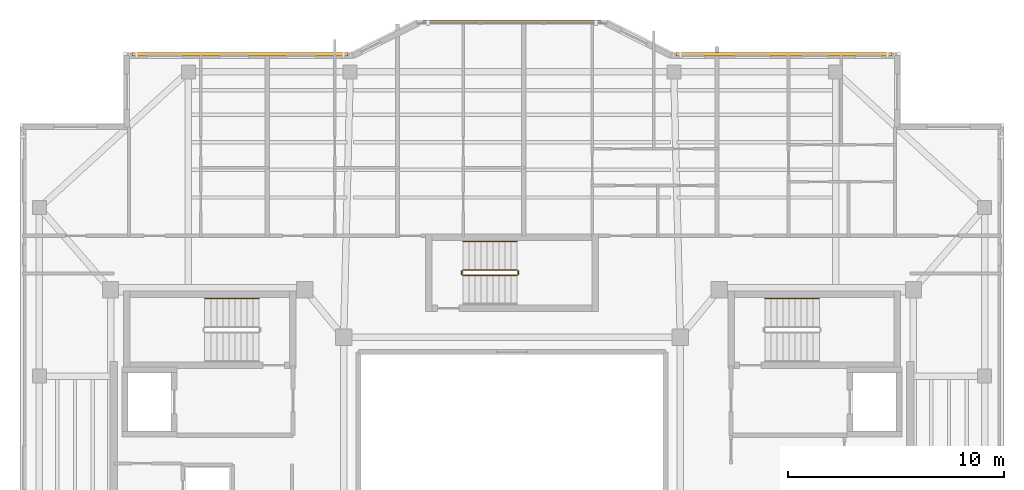
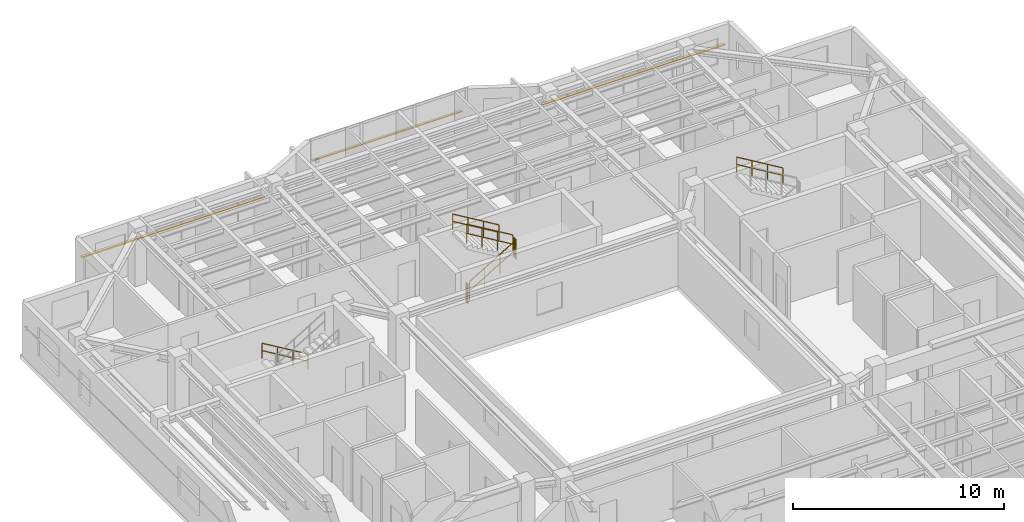
# One storey, part 14 of 14: 7 railings, 3 shading devices.
"""IFC4 building model written with IfcOpenShell, lengths in metres."""

from ifc_helpers import new_model, si_unit, direction, frame, origin, origin_2d, place, context, subcontext, project, spatial, rectangle, circle, extrude, material, material_profile, profile_set, type_object, element, save


model = new_model("IFC4")

# Units and contexts
model_context = context("Model", 3, precision=1e-05, world=origin(), true_north=direction((0.0, 1.0)))
body_context = subcontext(model_context, "Body", "Model", "MODEL_VIEW")
ifc_project = project(units=[si_unit("LENGTHUNIT", "METRE"), si_unit("AREAUNIT", "SQUARE_METRE"), si_unit("VOLUMEUNIT", "CUBIC_METRE"), si_unit("PLANEANGLEUNIT", "RADIAN"), si_unit("MASSUNIT", "GRAM", prefix="KILO")], contexts=[model_context])

# Site, building, storey
site_placement = place(None, origin())
site = spatial("IfcSite", under=ifc_project, at=site_placement, CompositionType="ELEMENT")
building_placement = place(site_placement, origin())
building = spatial("IfcBuilding", under=site, at=building_placement, Name="Tarnavaz Court Tower", CompositionType="ELEMENT")
storey_placement = place(building_placement, frame((0.0, 0.0, 264.949951171875)))
storey = spatial("IfcBuildingStorey", under=building, at=storey_placement, Name="L72", CompositionType="ELEMENT", Elevation=264.949951171875)

# Railings
ifc_material_1 = material(Name="Brushed Stainless Steel", Category="steel")
railing_type_1 = type_object("IfcRailingType", Name="RL-HANDRAIL-900", PredefinedType="HANDRAIL", material=ifc_material_1)
for number, where, name in (
    (1, (-11.719970703125, 9.590087890625, 0.16748046875), "L72 ST-W1 stair handrail 1"),
    (2, (14.239990234375, 9.590087890625, 1.842529296875), "L72 ST-E1 stair handrail 2"),
    (3, (0.239990234375, 12.239990234375, 1.842529296875), "L72 ST-N1 stair handrail 2"),
):
    element("IfcRailing", number, at=place(storey_placement, frame(where)), inside=storey, type_object=railing_type_1, Name=name, PredefinedType="HANDRAIL", context=body_context, shape_type="SweptSolid", body=[
        extrude(circle(Radius=0.02392578125, at=origin_2d()), frame((0.0, 0.0, 0.8759765625), z_axis=(-0.858159760407, 0.0, 0.513382728203), x_axis=(0.0, -1.0, 0.0)), (0.0, 0.0, 1.0), 2.9365234375),
        extrude(circle(Radius=0.02392578125, at=origin_2d()), frame((0.0, 0.0, 0.449951171875), z_axis=(-0.858159760407, 0.0, 0.513382728203), x_axis=(0.0, -1.0, 0.0)), (0.0, 0.0, 1.0), 2.9365234375),
        extrude(circle(Radius=0.02099609375, at=origin_2d()), origin(), (0.0, 0.0, 1.0), 0.851806640625),
        extrude(circle(Radius=0.02099609375, at=origin_2d()), frame((-0.840087890625, 0.0, 0.50244140625)), (0.0, 0.0, 1.0), 0.851806640625),
        extrude(circle(Radius=0.02099609375, at=origin_2d()), frame((-1.679931640625, 0.0, 1.005126953125)), (0.0, 0.0, 1.0), 0.851806640625),
        extrude(circle(Radius=0.02099609375, at=origin_2d()), frame((-2.52001953125, 0.0, 1.507568359375)), (0.0, 0.0, 1.0), 0.851806640625),
    ])
ifc_material_2 = material(Name="Galvanized Painted Tubular Steel", Category="steel")
railing_type_2 = type_object("IfcRailingType", Name="RL-STGUARD-1120", PredefinedType="GUARDRAIL", material=ifc_material_2)
railing_1_placement = place(storey_placement, frame((-2.280029296875, 10.669921875, 0.16748046875)))
element("IfcRailing", 4, at=railing_1_placement, inside=storey, type_object=railing_type_2, Name="L72 ST-N1 stair guard 1", PredefinedType="GUARDRAIL", context=body_context, shape_type="SweptSolid", body=[
    extrude(circle(Radius=0.02392578125, at=origin_2d()), frame((0.0, 0.0, 1.09619140625), z_axis=(0.858159760407, 0.0, 0.513382728203), x_axis=(0.0, 1.0, 0.0)), (0.0, 0.0, 1.0), 2.9365234375),
    extrude(circle(Radius=0.02392578125, at=origin_2d()), frame((0.0, 0.0, 0.56005859375), z_axis=(0.858159760407, 0.0, 0.513382728203), x_axis=(0.0, 1.0, 0.0)), (0.0, 0.0, 1.0), 2.9365234375),
    extrude(circle(Radius=0.02099609375, at=origin_2d()), origin(), (0.0, 0.0, 1.0), 1.072021484375),
    extrude(circle(Radius=0.02099609375, at=origin_2d()), frame((0.840087890625, 0.0, 0.50244140625)), (0.0, 0.0, 1.0), 1.072021484375),
    extrude(circle(Radius=0.02099609375, at=origin_2d()), frame((1.679931640625, 0.0, 1.005126953125)), (0.0, 0.0, 1.0), 1.072021484375),
    extrude(circle(Radius=0.02099609375, at=origin_2d()), frame((2.52001953125, 0.0, 1.507568359375)), (0.0, 0.0, 1.0), 1.072021484375),
])
railing_2_placement = place(storey_placement, frame((0.2900390625, 10.719970703125, 1.675048828125)))
element("IfcRailing", 5, at=railing_2_placement, inside=storey, type_object=railing_type_2, Name="L72 ST-N1 stair guard 2", PredefinedType="GUARDRAIL", context=body_context, shape_type="SweptSolid", body=[
    extrude(circle(Radius=0.02392578125, at=origin_2d()), frame((0.0, 0.0, 1.09619140625), z_axis=(0.0, 1.0, 0.0), x_axis=(-1.0, 0.0, 0.0)), (0.0, 0.0, 1.0), 0.150146484375),
    extrude(circle(Radius=0.02392578125, at=origin_2d()), frame((0.0, 0.0, 0.56005859375), z_axis=(0.0, 1.0, 0.0), x_axis=(-1.0, 0.0, 0.0)), (0.0, 0.0, 1.0), 0.150146484375),
    extrude(circle(Radius=0.02099609375, at=origin_2d()), origin(), (0.0, 0.0, 1.0), 1.072021484375),
    extrude(circle(Radius=0.02099609375, at=origin_2d()), frame((0.0, 0.150146484375, 0.0)), (0.0, 0.0, 1.0), 1.072021484375),
])
railing_3_placement = place(storey_placement, frame((0.239990234375, 10.919921875, 1.842529296875)))
element("IfcRailing", 6, at=railing_3_placement, inside=storey, type_object=railing_type_2, Name="L72 ST-N1 stair guard 3", PredefinedType="GUARDRAIL", context=body_context, shape_type="SweptSolid", body=[
    extrude(circle(Radius=0.02392578125, at=origin_2d()), frame((0.0, 0.0, 1.09619140625), z_axis=(-0.858159760407, 0.0, 0.513382728203), x_axis=(0.0, -1.0, 0.0)), (0.0, 0.0, 1.0), 2.9365234375),
    extrude(circle(Radius=0.02392578125, at=origin_2d()), frame((0.0, 0.0, 0.56005859375), z_axis=(-0.858159760407, 0.0, 0.513382728203), x_axis=(0.0, -1.0, 0.0)), (0.0, 0.0, 1.0), 2.9365234375),
    extrude(circle(Radius=0.02099609375, at=origin_2d()), origin(), (0.0, 0.0, 1.0), 1.072021484375),
    extrude(circle(Radius=0.02099609375, at=origin_2d()), frame((-0.840087890625, 0.0, 0.50244140625)), (0.0, 0.0, 1.0), 1.072021484375),
    extrude(circle(Radius=0.02099609375, at=origin_2d()), frame((-1.679931640625, 0.0, 1.005126953125)), (0.0, 0.0, 1.0), 1.072021484375),
    extrude(circle(Radius=0.02099609375, at=origin_2d()), frame((-2.52001953125, 0.0, 1.507568359375)), (0.0, 0.0, 1.0), 1.072021484375),
])
railing_4_placement = place(storey_placement, frame((-2.330078125, 10.719970703125, 0.0)))
element("IfcRailing", 7, at=railing_4_placement, inside=storey, type_object=railing_type_2, Name="L72 ST-N1 stair guard 4", PredefinedType="GUARDRAIL", context=body_context, shape_type="SweptSolid", body=[
    extrude(circle(Radius=0.02392578125, at=origin_2d()), frame((0.0, 0.0, 1.09619140625), z_axis=(0.0, 1.0, 0.0), x_axis=(-1.0, 0.0, 0.0)), (0.0, 0.0, 1.0), 0.150146484375),
    extrude(circle(Radius=0.02392578125, at=origin_2d()), frame((0.0, 0.0, 0.56005859375), z_axis=(0.0, 1.0, 0.0), x_axis=(-1.0, 0.0, 0.0)), (0.0, 0.0, 1.0), 0.150146484375),
    extrude(circle(Radius=0.02099609375, at=origin_2d()), origin(), (0.0, 0.0, 1.0), 1.072021484375),
    extrude(circle(Radius=0.02099609375, at=origin_2d()), frame((0.0, 0.150146484375, 0.0)), (0.0, 0.0, 1.0), 1.072021484375),
])

# Shading devices
ifc_material_3 = material(Name="Kiln-Fired Khorasan Terracotta Ceramic", Category="masonry")
ifc_material_profile_1 = material_profile(ifc_material_3, rectangle(XDim=0.1201171875, YDim=0.06005859375, at=origin_2d()), Name="TC BAGUETTE 120X60")
ifc_profile_set_1 = profile_set([ifc_material_profile_1], Name="Kiln-Fired Khorasan Terracotta Ceramic")
shading_device_type_1 = type_object("IfcShadingDeviceType", Name="SD-BAG-120", PredefinedType="USERDEFINED", material=ifc_profile_set_1)
shading_device_placement = place(storey_placement, frame((-4.10009765625, 22.409912109375, 1.800048828125), z_axis=(1.0, 0.0, 0.0), x_axis=(0.0, 1.0, 0.0)))
element("IfcShadingDevice", 8, at=shading_device_placement, inside=storey, type_object=shading_device_type_1, Name="L72 Terracotta Baguette Screen PBG7", ObjectType="BAGUETTE", PredefinedType="USERDEFINED", context=body_context, shape_type="SweptSolid", body=[
    extrude(rectangle(XDim=0.1201171875, YDim=0.06005859375, at=origin_2d()), origin(), (0.0, 0.0, 1.0), 8.2001953125),
])
ifc_material_profile_2 = material_profile(ifc_material_3, rectangle(XDim=0.14990234375, YDim=0.06494140625, at=origin_2d()), Name="TC BAGUETTE 150X65")
ifc_profile_set_2 = profile_set([ifc_material_profile_2], Name="Kiln-Fired Khorasan Terracotta Ceramic")
shading_device_type_2 = type_object("IfcShadingDeviceType", Name="SD-BAG-150", PredefinedType="USERDEFINED", material=ifc_profile_set_2)
for number, where, z_axis, x_axis, name in (
    (9, (-17.60009765625, 20.909912109375, 1.85009765625), (1.0, 0.0, 0.0), (0.0, 1.0, 0.0), "L72 Terracotta Baguette Screen FBG05"),
    (10, (7.60009765625, 20.909912109375, 1.85009765625), (1.0, 0.0, 0.0), (0.0, 1.0, 0.0), "L72 Terracotta Baguette Screen FBG09"),
):
    element("IfcShadingDevice", number, at=place(storey_placement, frame(where, z_axis=z_axis, x_axis=x_axis)), inside=storey, type_object=shading_device_type_2, Name=name, ObjectType="BAGUETTE", PredefinedType="USERDEFINED", context=body_context, shape_type="SweptSolid", body=[
        extrude(rectangle(XDim=0.14990234375, YDim=0.06494140625, at=origin_2d()), origin(), (0.0, 0.0, 1.0), 10.0),
    ])

save(model, "model.ifc")
